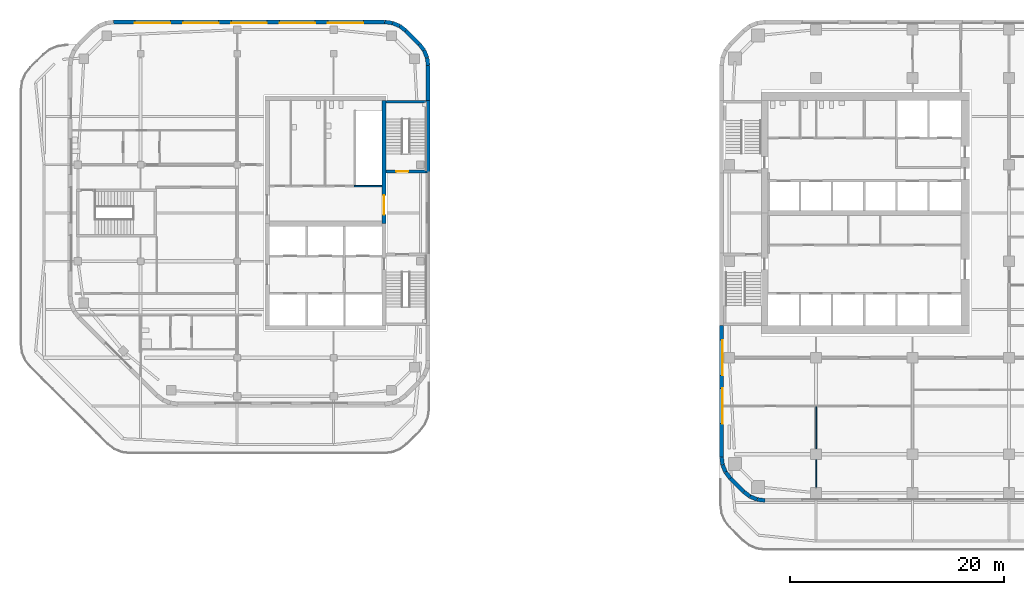
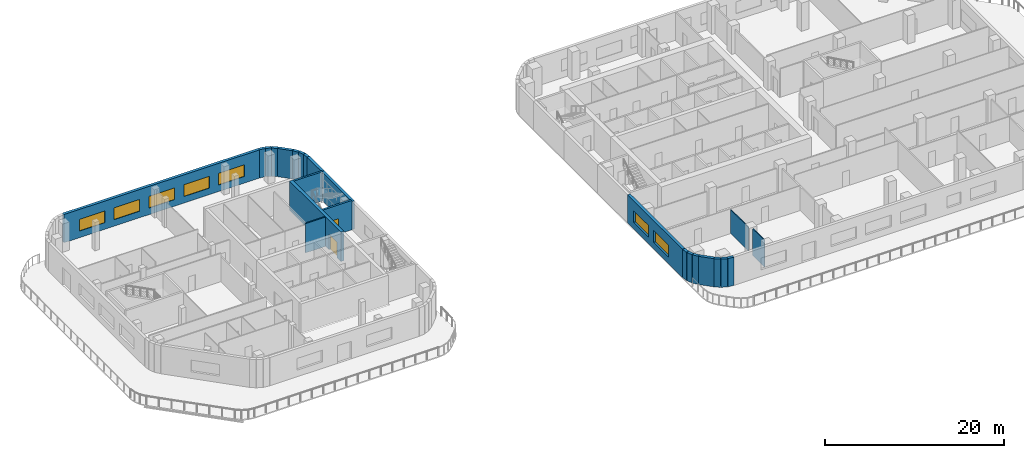
# One storey, part 7 of 15: 24 walls, 7 windows, 2 doors, 9 openings.
"""IFC4 building model written with IfcOpenShell, lengths in metres."""

from ifc_helpers import new_model, si_unit, direction, frame, frame_2d, origin, place, context, subcontext, project, spatial, rectangle, extrude, material, layer, layer_set, type_object, element, fill, save


model = new_model("IFC4")

# Units and contexts
model_context = context("Model", 3, precision=1e-05, world=origin(), true_north=direction((0.0, 1.0)))
body_context = subcontext(model_context, "Body", "Model", "MODEL_VIEW")
ifc_project = project(units=[si_unit("LENGTHUNIT", "METRE"), si_unit("AREAUNIT", "SQUARE_METRE"), si_unit("VOLUMEUNIT", "CUBIC_METRE"), si_unit("PLANEANGLEUNIT", "RADIAN"), si_unit("MASSUNIT", "GRAM", prefix="KILO")], contexts=[model_context])

# Site, building, storey
site_placement = place(None, origin())
site = spatial("IfcSite", under=ifc_project, at=site_placement, CompositionType="ELEMENT")
building_placement = place(site_placement, origin())
building = spatial("IfcBuilding", under=site, at=building_placement, Name="Cinnabar Reach Civic Tower", CompositionType="ELEMENT")
storey_placement = place(building_placement, frame((0.0, 0.0, 100.0)))
storey = spatial("IfcBuildingStorey", under=building, at=storey_placement, Name="L23", CompositionType="ELEMENT", Elevation=100.0)

# Walls
ifc_material_1 = material(Name="Facing brick with insulated backing", Category="masonry")
ifc_layer_1 = layer(ifc_material_1, 0.36)
ifc_layer_set_1 = layer_set([ifc_layer_1], Name="Brick corner wall")
wall_type_1 = type_object("IfcWallType", Name="Brick corner wall", PredefinedType="STANDARD", material=ifc_layer_set_1)
for number, where, z_axis, x_axis, name in (
    (1, (0.183, 8.7314, 0.0), (0.0, 0.0, 1.0), (0.13055608231, -0.99144092581, 0.0), "Brick corner wall"),
    (2, (0.2819, 8.0027, 0.0), (0.0, 0.0, 1.0), (0.382702709855, -0.923871547278, 0.0), "Brick corner wall"),
):
    element("IfcWall", number, at=place(storey_placement, frame(where, z_axis=z_axis, x_axis=x_axis)), inside=storey, type_object=wall_type_1, Name=name, PredefinedType="STANDARD", context=body_context, shape_type="SweptSolid", body=[
        extrude(rectangle(XDim=0.7131, YDim=0.36, at=frame_2d((0.3565, 0.0))), origin(), (0.0, 0.0, 1.0), 3.85),
    ])
for number, where, z_axis, x_axis, name in (
    (3, (0.566, 7.3245, 0.0), (0.0, 0.0, 1.0), (0.608802368033, -0.793321924995, 0.0), "Brick corner wall"),
    (4, (2.2587, 5.5002, 0.0), (0.0, 0.0, 1.0), (0.793321924995, -0.608802368033, 0.0), "Brick corner wall"),
):
    element("IfcWall", number, at=place(storey_placement, frame(where, z_axis=z_axis, x_axis=x_axis)), inside=storey, type_object=wall_type_1, Name=name, PredefinedType="STANDARD", context=body_context, shape_type="SweptSolid", body=[
        extrude(rectangle(XDim=0.7132, YDim=0.36, at=frame_2d((0.3566, 0.0))), origin(), (0.0, 0.0, 1.0), 3.85),
    ])
for number, where, z_axis, x_axis, name in (
    (5, (2.8439, 5.0548, 0.0), (0.0, 0.0, 1.0), (0.923871547278, -0.382702709855, 0.0), "Brick corner wall"),
    (6, (3.5244, 4.7761, 0.0), (0.0, 0.0, 1.0), (0.99144092581, -0.13055608231, 0.0), "Brick corner wall"),
    (7, (-27.183, 45.2686, 0.0), (0.0, 0.0, 1.0), (-0.13055608231, 0.99144092581, 0.0), "Brick corner wall"),
    (8, (-27.2819, 45.9973, 0.0), (0.0, 0.0, 1.0), (-0.382702709855, 0.923871547278, 0.0), "Brick corner wall"),
):
    element("IfcWall", number, at=place(storey_placement, frame(where, z_axis=z_axis, x_axis=x_axis)), inside=storey, type_object=wall_type_1, Name=name, PredefinedType="STANDARD", context=body_context, shape_type="SweptSolid", body=[
        extrude(rectangle(XDim=0.7131, YDim=0.36, at=frame_2d((0.3565, 0.0))), origin(), (0.0, 0.0, 1.0), 3.85),
    ])
for number, where, z_axis, x_axis, name in (
    (9, (-27.566, 46.6755, 0.0), (0.0, 0.0, 1.0), (-0.608802368033, 0.793321924995, 0.0), "Brick corner wall"),
    (10, (-29.2587, 48.4998, 0.0), (0.0, 0.0, 1.0), (-0.793321924995, 0.608802368033, 0.0), "Brick corner wall"),
):
    element("IfcWall", number, at=place(storey_placement, frame(where, z_axis=z_axis, x_axis=x_axis)), inside=storey, type_object=wall_type_1, Name=name, PredefinedType="STANDARD", context=body_context, shape_type="SweptSolid", body=[
        extrude(rectangle(XDim=0.7132, YDim=0.36, at=frame_2d((0.3566, 0.0))), origin(), (0.0, 0.0, 1.0), 3.85),
    ])
for number, where, z_axis, x_axis, name in (
    (11, (-29.8439, 48.9452, 0.0), (0.0, 0.0, 1.0), (-0.923871547278, 0.382702709855, 0.0), "Brick corner wall"),
    (12, (-30.5244, 49.2239, 0.0), (0.0, 0.0, 1.0), (-0.99144092581, 0.13055608231, 0.0), "Brick corner wall"),
):
    element("IfcWall", number, at=place(storey_placement, frame(where, z_axis=z_axis, x_axis=x_axis)), inside=storey, type_object=wall_type_1, Name=name, PredefinedType="STANDARD", context=body_context, shape_type="SweptSolid", body=[
        extrude(rectangle(XDim=0.7131, YDim=0.36, at=frame_2d((0.3565, 0.0))), origin(), (0.0, 0.0, 1.0), 3.85),
    ])

# Wall, openings, windows
ifc_layer_2 = layer(ifc_material_1, 0.36)
ifc_layer_set_2 = layer_set([ifc_layer_2], Name="Brick pier and spandrel wall")
wall_type_2 = type_object("IfcWallType", Name="Brick pier and spandrel wall", PredefinedType="STANDARD", material=ifc_layer_set_2)
wall_1_placement = place(storey_placement, frame((0.18, 21.0, 0.0), z_axis=(0.0, 0.0, 1.0), x_axis=(0.0, -1.0, 0.0)))
wall_1 = element("IfcWall", 13, at=wall_1_placement, inside=storey, type_object=wall_type_2, Name="Brick facade wall", PredefinedType="STANDARD", context=body_context, shape_type="SweptSolid", body=[
    extrude(rectangle(XDim=12.2574, YDim=0.36, at=frame_2d((6.1287, 0.0))), origin(), (0.0, 0.0, 1.0), 3.85),
])
opening_1_placement = place(wall_1_placement, frame((1.35, 0.0, 0.9)))
opening_1 = element("IfcOpeningElement", 14, at=opening_1_placement, cuts=wall_1, Name="Opening W1499", PredefinedType="OPENING", context=body_context, shape_type="SweptSolid", body=[
    extrude(rectangle(XDim=3.3, YDim=1.6, at=frame_2d((1.65, 0.8))), frame((0.0, 0.19, 0.0), z_axis=(0.0, -1.0, 0.0), x_axis=(1.0, 0.0, 0.0)), (0.0, 0.0, 1.0), 0.38),
])
opening_2_placement = place(wall_1_placement, frame((5.85, 0.0, 0.9)))
opening_2 = element("IfcOpeningElement", 15, at=opening_2_placement, cuts=wall_1, Name="Opening W1500", PredefinedType="OPENING", context=body_context, shape_type="SweptSolid", body=[
    extrude(rectangle(XDim=3.3, YDim=1.6, at=frame_2d((1.65, 0.8))), frame((0.0, 0.19, 0.0), z_axis=(0.0, -1.0, 0.0), x_axis=(1.0, 0.0, 0.0)), (0.0, 0.0, 1.0), 0.38),
])
ifc_material_2 = material(Name="Clear double glazing in aluminium frame", Category="aluminium")
window_type = type_object("IfcWindowType", Name="Deep-set window A", PartitioningType="SINGLE_PANEL", PredefinedType="WINDOW", material=ifc_material_2)
window_1_placement = place(opening_1_placement, origin())
window_1 = element("IfcWindow", 16, at=window_1_placement, inside=storey, type_object=window_type, Name="Window west face", OverallHeight=1.6, OverallWidth=3.3, PartitioningType="SINGLE_PANEL", PredefinedType="WINDOW", context=body_context, shape_type="SweptSolid", body=[
    extrude(rectangle(XDim=3.3, YDim=1.6, at=frame_2d((1.65, 0.8))), frame((0.0, 0.13, 0.0), z_axis=(0.0, -1.0, 0.0), x_axis=(1.0, 0.0, 0.0)), (0.0, 0.0, 1.0), 0.06),
])
fill(opening_1, window_1)
window_2_placement = place(opening_2_placement, origin())
window_2 = element("IfcWindow", 17, at=window_2_placement, inside=storey, type_object=window_type, Name="Window west face", OverallHeight=1.6, OverallWidth=3.3, PartitioningType="SINGLE_PANEL", PredefinedType="WINDOW", context=body_context, shape_type="SweptSolid", body=[
    extrude(rectangle(XDim=3.3, YDim=1.6, at=frame_2d((1.65, 0.8))), frame((0.0, 0.13, 0.0), z_axis=(0.0, -1.0, 0.0), x_axis=(1.0, 0.0, 0.0)), (0.0, 0.0, 1.0), 0.06),
])
fill(opening_2, window_2)

# Walls
wall_2_placement = place(storey_placement, frame((1.006, 6.7486, 0.0), z_axis=(0.0, 0.0, 1.0), x_axis=(0.707106781187, -0.707106781187, 0.0)))
element("IfcWall", 18, at=wall_2_placement, inside=storey, type_object=wall_type_2, Name="Brick facade wall", PredefinedType="STANDARD", context=body_context, shape_type="SweptSolid", body=[
    extrude(rectangle(XDim=1.7573, YDim=0.36, at=frame_2d((0.8787, 0.0))), origin(), (0.0, 0.0, 1.0), 3.85),
])
wall_3_placement = place(storey_placement, frame((-27.18, 35.25, 0.0), z_axis=(0.0, 0.0, 1.0), x_axis=(0.0, 1.0, 0.0)))
element("IfcWall", 19, at=wall_3_placement, inside=storey, type_object=wall_type_2, Name="Brick facade wall", PredefinedType="STANDARD", context=body_context, shape_type="SweptSolid", body=[
    extrude(rectangle(XDim=6.75, YDim=0.36, at=frame_2d((3.375, 0.0))), origin(), (0.0, 0.0, 1.0), 3.85),
])
wall_4_placement = place(storey_placement, frame((-27.18, 42.0, 0.0), z_axis=(0.0, 0.0, 1.0), x_axis=(0.0, 1.0, 0.0)))
element("IfcWall", 20, at=wall_4_placement, inside=storey, type_object=wall_type_2, Name="Brick facade wall", PredefinedType="STANDARD", context=body_context, shape_type="SweptSolid", body=[
    extrude(rectangle(XDim=3.2574, YDim=0.36, at=frame_2d((1.6287, 0.0))), origin(), (0.0, 0.0, 1.0), 3.85),
])
wall_5_placement = place(storey_placement, frame((-28.006, 47.2514, 0.0), z_axis=(0.0, 0.0, 1.0), x_axis=(-0.707106781187, 0.707106781187, 0.0)))
element("IfcWall", 21, at=wall_5_placement, inside=storey, type_object=wall_type_2, Name="Brick facade wall", PredefinedType="STANDARD", context=body_context, shape_type="SweptSolid", body=[
    extrude(rectangle(XDim=1.7573, YDim=0.36, at=frame_2d((0.8787, 0.0))), origin(), (0.0, 0.0, 1.0), 3.85),
])

# Wall, openings, windows
wall_6_placement = place(storey_placement, frame((-31.2426, 49.32, 0.0), z_axis=(0.0, 0.0, 1.0), x_axis=(-1.0, 0.0, 0.0)))
wall_6 = element("IfcWall", 22, at=wall_6_placement, inside=storey, type_object=wall_type_2, Name="Brick facade wall", PredefinedType="STANDARD", context=body_context, shape_type="SweptSolid", body=[
    extrude(rectangle(XDim=25.2648, YDim=0.36, at=frame_2d((12.6324, 0.0))), origin(), (0.0, 0.0, 1.0), 3.85),
])
opening_3_placement = place(wall_6_placement, frame((1.9824, 0.0, 0.9)))
opening_3 = element("IfcOpeningElement", 23, at=opening_3_placement, cuts=wall_6, Name="Opening W2672", PredefinedType="OPENING", context=body_context, shape_type="SweptSolid", body=[
    extrude(rectangle(XDim=3.3, YDim=1.6, at=frame_2d((1.65, 0.8))), frame((0.0, 0.19, 0.0), z_axis=(0.0, -1.0, 0.0), x_axis=(1.0, 0.0, 0.0)), (0.0, 0.0, 1.0), 0.38),
])
opening_4_placement = place(wall_6_placement, frame((6.4824, 0.0, 0.9)))
opening_4 = element("IfcOpeningElement", 24, at=opening_4_placement, cuts=wall_6, Name="Opening W2673", PredefinedType="OPENING", context=body_context, shape_type="SweptSolid", body=[
    extrude(rectangle(XDim=3.3, YDim=1.6, at=frame_2d((1.65, 0.8))), frame((0.0, 0.19, 0.0), z_axis=(0.0, -1.0, 0.0), x_axis=(1.0, 0.0, 0.0)), (0.0, 0.0, 1.0), 0.38),
])
opening_5_placement = place(wall_6_placement, frame((10.9824, 0.0, 0.9)))
opening_5 = element("IfcOpeningElement", 25, at=opening_5_placement, cuts=wall_6, Name="Opening W2674", PredefinedType="OPENING", context=body_context, shape_type="SweptSolid", body=[
    extrude(rectangle(XDim=3.3, YDim=1.6, at=frame_2d((1.65, 0.8))), frame((0.0, 0.19, 0.0), z_axis=(0.0, -1.0, 0.0), x_axis=(1.0, 0.0, 0.0)), (0.0, 0.0, 1.0), 0.38),
])
opening_6_placement = place(wall_6_placement, frame((15.4824, 0.0, 0.9)))
opening_6 = element("IfcOpeningElement", 26, at=opening_6_placement, cuts=wall_6, Name="Opening W2675", PredefinedType="OPENING", context=body_context, shape_type="SweptSolid", body=[
    extrude(rectangle(XDim=3.3, YDim=1.6, at=frame_2d((1.65, 0.8))), frame((0.0, 0.19, 0.0), z_axis=(0.0, -1.0, 0.0), x_axis=(1.0, 0.0, 0.0)), (0.0, 0.0, 1.0), 0.38),
])
opening_7_placement = place(wall_6_placement, frame((19.9824, 0.0, 0.9)))
opening_7 = element("IfcOpeningElement", 27, at=opening_7_placement, cuts=wall_6, Name="Opening W2676", PredefinedType="OPENING", context=body_context, shape_type="SweptSolid", body=[
    extrude(rectangle(XDim=3.3, YDim=1.6, at=frame_2d((1.65, 0.8))), frame((0.0, 0.19, 0.0), z_axis=(0.0, -1.0, 0.0), x_axis=(1.0, 0.0, 0.0)), (0.0, 0.0, 1.0), 0.38),
])
window_3_placement = place(opening_3_placement, origin())
window_3 = element("IfcWindow", 28, at=window_3_placement, inside=storey, type_object=window_type, Name="Window north face", OverallHeight=1.6, OverallWidth=3.3, PartitioningType="SINGLE_PANEL", PredefinedType="WINDOW", context=body_context, shape_type="SweptSolid", body=[
    extrude(rectangle(XDim=3.3, YDim=1.6, at=frame_2d((1.65, 0.8))), frame((0.0, 0.13, 0.0), z_axis=(0.0, -1.0, 0.0), x_axis=(1.0, 0.0, 0.0)), (0.0, 0.0, 1.0), 0.06),
])
fill(opening_3, window_3)
window_4_placement = place(opening_4_placement, origin())
window_4 = element("IfcWindow", 29, at=window_4_placement, inside=storey, type_object=window_type, Name="Window north face", OverallHeight=1.6, OverallWidth=3.3, PartitioningType="SINGLE_PANEL", PredefinedType="WINDOW", context=body_context, shape_type="SweptSolid", body=[
    extrude(rectangle(XDim=3.3, YDim=1.6, at=frame_2d((1.65, 0.8))), frame((0.0, 0.13, 0.0), z_axis=(0.0, -1.0, 0.0), x_axis=(1.0, 0.0, 0.0)), (0.0, 0.0, 1.0), 0.06),
])
fill(opening_4, window_4)
window_5_placement = place(opening_5_placement, origin())
window_5 = element("IfcWindow", 30, at=window_5_placement, inside=storey, type_object=window_type, Name="Window north face", OverallHeight=1.6, OverallWidth=3.3, PartitioningType="SINGLE_PANEL", PredefinedType="WINDOW", context=body_context, shape_type="SweptSolid", body=[
    extrude(rectangle(XDim=3.3, YDim=1.6, at=frame_2d((1.65, 0.8))), frame((0.0, 0.13, 0.0), z_axis=(0.0, -1.0, 0.0), x_axis=(1.0, 0.0, 0.0)), (0.0, 0.0, 1.0), 0.06),
])
fill(opening_5, window_5)
window_6_placement = place(opening_6_placement, origin())
window_6 = element("IfcWindow", 31, at=window_6_placement, inside=storey, type_object=window_type, Name="Window north face", OverallHeight=1.6, OverallWidth=3.3, PartitioningType="SINGLE_PANEL", PredefinedType="WINDOW", context=body_context, shape_type="SweptSolid", body=[
    extrude(rectangle(XDim=3.3, YDim=1.6, at=frame_2d((1.65, 0.8))), frame((0.0, 0.13, 0.0), z_axis=(0.0, -1.0, 0.0), x_axis=(1.0, 0.0, 0.0)), (0.0, 0.0, 1.0), 0.06),
])
fill(opening_6, window_6)
window_7_placement = place(opening_7_placement, origin())
window_7 = element("IfcWindow", 32, at=window_7_placement, inside=storey, type_object=window_type, Name="Window north face", OverallHeight=1.6, OverallWidth=3.3, PartitioningType="SINGLE_PANEL", PredefinedType="WINDOW", context=body_context, shape_type="SweptSolid", body=[
    extrude(rectangle(XDim=3.3, YDim=1.6, at=frame_2d((1.65, 0.8))), frame((0.0, 0.13, 0.0), z_axis=(0.0, -1.0, 0.0), x_axis=(1.0, 0.0, 0.0)), (0.0, 0.0, 1.0), 0.06),
])
fill(opening_7, window_7)

# Wall, opening, door
ifc_material_3 = material(Name="Concrete C60", Category="concrete")
ifc_layer_3 = layer(ifc_material_3, 0.4)
ifc_layer_set_3 = layer_set([ifc_layer_3], Name="Core wall 400 EI 180")
wall_type_3 = type_object("IfcWallType", Name="Core wall 400 EI 180", PredefinedType="SOLIDWALL", material=ifc_layer_set_3)
wall_7_placement = place(storey_placement, frame((-31.3, 30.5, 0.0), z_axis=(0.0, 0.0, 1.0), x_axis=(0.0, 1.0, 0.0)))
wall_7 = element("IfcWall", 33, at=wall_7_placement, inside=storey, type_object=wall_type_3, Name="Core wall T2 L23 E2", PredefinedType="SOLIDWALL", context=body_context, shape_type="SweptSolid", body=[
    extrude(rectangle(XDim=11.5, YDim=0.4, at=frame_2d((5.75, 0.0))), origin(), (0.0, 0.0, 1.0), 4.0),
])
opening_8_placement = place(wall_7_placement, frame((0.85, 0.0, 0.0)))
opening_8 = element("IfcOpeningElement", 34, at=opening_8_placement, cuts=wall_7, Name="Opening D6859", PredefinedType="OPENING", context=body_context, shape_type="SweptSolid", body=[
    extrude(rectangle(XDim=1.8, YDim=2.1, at=frame_2d((0.9, 1.05))), frame((0.0, 0.21, 0.0), z_axis=(0.0, -1.0, 0.0), x_axis=(1.0, 0.0, 0.0)), (0.0, 0.0, 1.0), 0.42),
])
ifc_material_4 = material(Name="Steel fire door", Category="steel")
door_type_1 = type_object("IfcDoorType", Name="T2 Double door 1800", OperationType="DOUBLE_DOOR_SINGLE_SWING", PredefinedType="DOOR", material=ifc_material_4)
door_1_placement = place(opening_8_placement, origin())
door_1 = element("IfcDoor", 35, at=door_1_placement, inside=storey, type_object=door_type_1, Name="T2 Double door D6859", OperationType="DOUBLE_DOOR_SINGLE_SWING", OverallHeight=2.1, OverallWidth=1.8, PredefinedType="DOOR", context=body_context, shape_type="SweptSolid", body=[
    extrude(rectangle(XDim=1.8, YDim=2.1, at=frame_2d((0.9, 1.05))), frame((0.0, 0.025, 0.0), z_axis=(0.0, -1.0, 0.0), x_axis=(1.0, 0.0, 0.0)), (0.0, 0.0, 1.0), 0.05),
])
fill(opening_8, door_1)

# Walls
ifc_material_5 = material(Name="Gypsum board on steel studs", Category="steel")
ifc_layer_4 = layer(ifc_material_5, 0.1)
ifc_layer_set_4 = layer_set([ifc_layer_4], Name="Partition wall 100 T1")
wall_type_4 = type_object("IfcWallType", Name="Partition wall 100 T1", PredefinedType="PARTITIONING", material=ifc_layer_set_4)
wall_8_placement = place(storey_placement, frame((9.0, 5.9, 0.0), z_axis=(0.0, 0.0, 1.0), x_axis=(0.0, 1.0, 0.0)))
element("IfcWall", 36, at=wall_8_placement, inside=storey, type_object=wall_type_4, Name="Partition wall 52", PredefinedType="PARTITIONING", context=body_context, shape_type="SweptSolid", body=[
    extrude(rectangle(XDim=2.6, YDim=0.1, at=frame_2d((1.3, 0.0))), origin(), (0.0, 0.0, 1.0), 3.652),
])
wall_9_placement = place(storey_placement, frame((9.0, 9.5, 0.0), z_axis=(0.0, 0.0, 1.0), x_axis=(0.0, 1.0, 0.0)))
element("IfcWall", 37, at=wall_9_placement, inside=storey, type_object=wall_type_4, Name="Partition wall 53", PredefinedType="PARTITIONING", context=body_context, shape_type="SweptSolid", body=[
    extrude(rectangle(XDim=3.95, YDim=0.1, at=frame_2d((1.975, 0.0))), origin(), (0.0, 0.0, 1.0), 3.256),
])

# Wall, opening, door
ifc_layer_5 = layer(ifc_material_3, 0.25)
ifc_layer_set_5 = layer_set([ifc_layer_5], Name="Stair shaft wall 250 EI 120")
wall_type_5 = type_object("IfcWallType", Name="Stair shaft wall 250 EI 120", PredefinedType="SOLIDWALL", material=ifc_layer_set_5)
wall_10_placement = place(storey_placement, frame((-31.1, 35.375, 0.0), z_axis=(0.0, 0.0, 1.0), x_axis=(1.0, 0.0, 0.0)))
wall_10 = element("IfcWall", 38, at=wall_10_placement, inside=storey, type_object=wall_type_5, Name="Stair shaft wall T2-S2 L23", PredefinedType="SOLIDWALL", context=body_context, shape_type="SweptSolid", body=[
    extrude(rectangle(XDim=3.74, YDim=0.25, at=frame_2d((1.87, 0.0))), origin(), (0.0, 0.0, 1.0), 4.0),
])
opening_9_placement = place(wall_10_placement, frame((0.95, 0.0, 0.0)))
opening_9 = element("IfcOpeningElement", 39, at=opening_9_placement, cuts=wall_10, Name="Opening D6858", PredefinedType="OPENING", context=body_context, shape_type="SweptSolid", body=[
    extrude(rectangle(XDim=1.1, YDim=2.1, at=frame_2d((0.55, 1.05))), frame((0.0, 0.135, 0.0), z_axis=(0.0, -1.0, 0.0), x_axis=(1.0, 0.0, 0.0)), (0.0, 0.0, 1.0), 0.27),
])
door_type_2 = type_object("IfcDoorType", Name="T2 Stair door 1100", OperationType="SINGLE_SWING_LEFT", PredefinedType="DOOR", material=ifc_material_4)
door_2_placement = place(opening_9_placement, origin())
door_2 = element("IfcDoor", 40, at=door_2_placement, inside=storey, type_object=door_type_2, Name="T2 Stair door D6858", OperationType="SINGLE_SWING_RIGHT", OverallHeight=2.1, OverallWidth=1.1, PredefinedType="DOOR", context=body_context, shape_type="SweptSolid", body=[
    extrude(rectangle(XDim=1.1, YDim=2.1, at=frame_2d((0.55, 1.05))), frame((0.0, 0.025, 0.0), z_axis=(0.0, -1.0, 0.0), x_axis=(1.0, 0.0, 0.0)), (0.0, 0.0, 1.0), 0.05),
])
fill(opening_9, door_2)

# Walls
wall_11_placement = place(storey_placement, frame((-27.36, 41.875, 0.0), z_axis=(0.0, 0.0, 1.0), x_axis=(-1.0, 0.0, 0.0)))
element("IfcWall", 41, at=wall_11_placement, inside=storey, type_object=wall_type_5, Name="Stair shaft wall T2-S2 L23", PredefinedType="SOLIDWALL", context=body_context, shape_type="SweptSolid", body=[
    extrude(rectangle(XDim=3.74, YDim=0.25, at=frame_2d((1.87, 0.0))), origin(), (0.0, 0.0, 1.0), 4.0),
])
ifc_material_6 = material(Name="Concrete C40", Category="concrete")
ifc_layer_6 = layer(ifc_material_6, 0.15)
ifc_layer_set_6 = layer_set([ifc_layer_6], Name="T2 Riser wall 150")
wall_type_6 = type_object("IfcWallType", Name="T2 Riser wall 150", PredefinedType="SOLIDWALL", material=ifc_layer_set_6)
wall_12_placement = place(storey_placement, frame((-34.075, 34.0, 0.0), z_axis=(0.0, 0.0, 1.0), x_axis=(1.0, 0.0, 0.0)))
element("IfcWall", 42, at=wall_12_placement, inside=storey, type_object=wall_type_6, Name="T2 Riser wall L23 012", PredefinedType="SOLIDWALL", context=body_context, shape_type="SweptSolid", body=[
    extrude(rectangle(XDim=2.575, YDim=0.15, at=frame_2d((1.2875, 0.0))), origin(), (0.0, 0.0, 1.0), 4.0),
])

save(model, "model.ifc")
